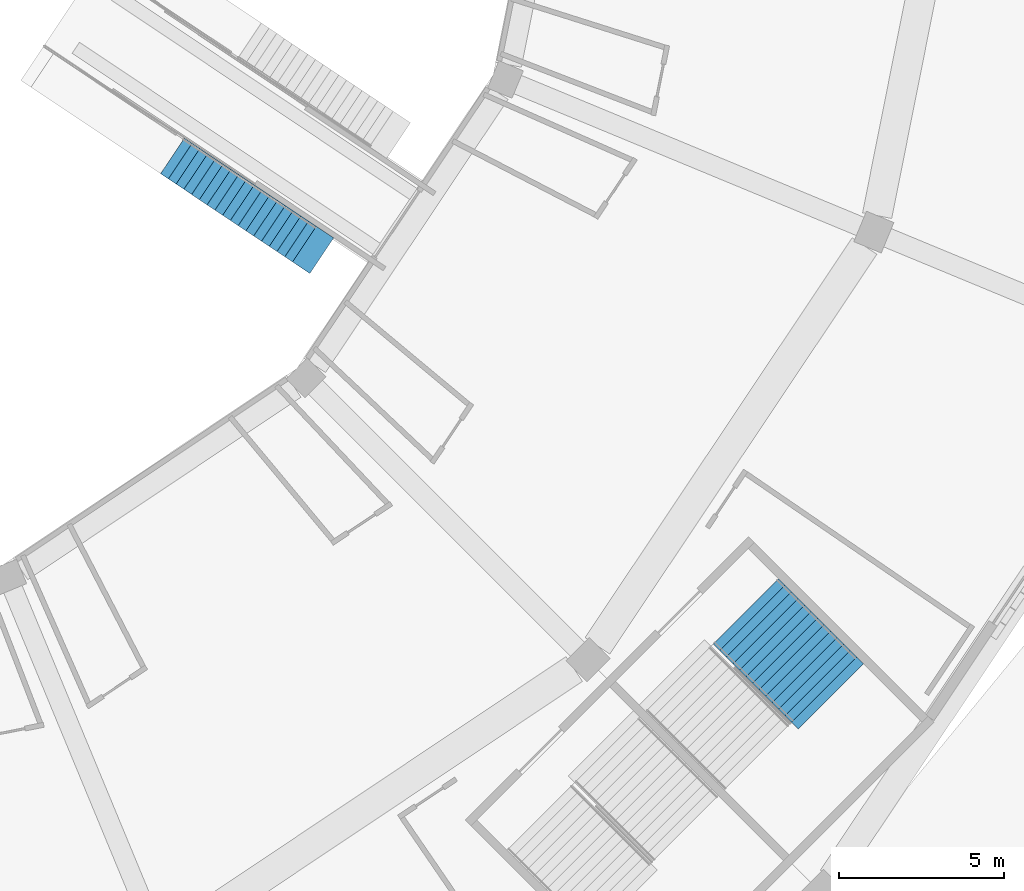
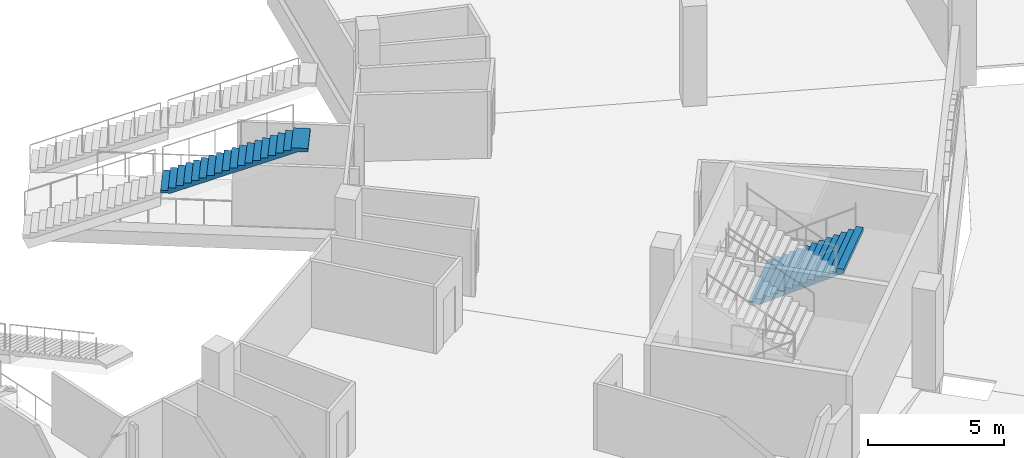
# One storey, part 90 of 175: 2 stair flights, 2 elements without a shape of their own.
"""IFC4 building model written with IfcOpenShell, lengths in metres."""

from ifc_helpers import new_model, si_unit, direction, frame, origin, place, context, subcontext, project, spatial, faceted_brep, material, type_object, element, aggregate, save


model = new_model("IFC4")

# Units and contexts
model_context = context("Model", 3, precision=1e-05, world=origin(), true_north=direction((0.0, 1.0)))
body_context = subcontext(model_context, "Body", "Model", "MODEL_VIEW")
ifc_project = project(units=[si_unit("LENGTHUNIT", "METRE"), si_unit("AREAUNIT", "SQUARE_METRE"), si_unit("VOLUMEUNIT", "CUBIC_METRE"), si_unit("PLANEANGLEUNIT", "RADIAN"), si_unit("MASSUNIT", "GRAM", prefix="KILO")], contexts=[model_context])

# Site, building, storey
site_placement = place(None, origin())
site = spatial("IfcSite", under=ifc_project, at=site_placement, CompositionType="ELEMENT")
building_placement = place(site_placement, origin())
building = spatial("IfcBuilding", under=site, at=building_placement, Name="Ogive Plaza Stadium", CompositionType="ELEMENT")
storey_placement = place(building_placement, origin())
storey = spatial("IfcBuildingStorey", under=building, at=storey_placement, Name="L00", CompositionType="ELEMENT", Elevation=0.0)

# Stair, stair flight
ifc_material_1 = material(Name="Concrete C40/50", Category="concrete")
stair_type_1 = type_object("IfcStairType", Name="Aisle stair", PredefinedType="STRAIGHT_RUN_STAIR", material=ifc_material_1)
stair_1_placement = place(storey_placement, origin())
stair_1 = element("IfcStair", 1, at=stair_1_placement, inside=storey, type_object=stair_type_1, Name="Aisle stair SA09L", PredefinedType="STRAIGHT_RUN_STAIR")
ifc_material_2 = material(Name="Concrete C40/50", Category="concrete")
stair_flight_type_1 = type_object("IfcStairFlightType", Name="Aisle stair flight", PredefinedType="STRAIGHT", material=ifc_material_2)
stair_flight_1_placement = place(storey_placement, frame((49.670654296875, -65.496337890625, 2.25), z_axis=(0.0, 0.0, 1.0), x_axis=(0.831469612303, -0.55557023302, 0.0)))
stair_flight_1 = element("IfcStairFlight", 2, at=stair_flight_1_placement, type_object=stair_flight_type_1, Name="SA09L flight 2", NumberOfRisers=18, NumberOfTreads=17, PredefinedType="STRAIGHT", RiserHeight=0.125, TreadLength=0.283333333, context=body_context, shape_type="Brep", body=[
    faceted_brep([(0.371337890625, -0.64990234375, 0.0), (5.10009765625, -0.64990234375, 2.086181640625), (5.446533203125, -0.64990234375, 2.086181640625), (5.446533203125, -0.64990234375, 2.25), (4.816650390625, -0.64990234375, 2.25), (4.816650390625, -0.64990234375, 2.125), (4.533447265625, -0.64990234375, 2.125), (4.533447265625, -0.64990234375, 2.0), (4.25, -0.64990234375, 2.0), (4.25, -0.64990234375, 1.875), (3.966552734375, -0.64990234375, 1.875), (3.966552734375, -0.64990234375, 1.75), (3.683349609375, -0.64990234375, 1.75), (3.683349609375, -0.64990234375, 1.625), (3.39990234375, -0.64990234375, 1.625), (3.39990234375, -0.64990234375, 1.5), (3.11669921875, -0.64990234375, 1.5), (3.11669921875, -0.64990234375, 1.375), (2.833251953125, -0.64990234375, 1.375), (2.833251953125, -0.64990234375, 1.25), (2.550048828125, -0.64990234375, 1.25), (2.550048828125, -0.64990234375, 1.125), (2.2666015625, -0.64990234375, 1.125), (2.2666015625, -0.64990234375, 1.0), (1.9833984375, -0.64990234375, 1.0), (1.9833984375, -0.64990234375, 0.875), (1.699951171875, -0.64990234375, 0.875), (1.699951171875, -0.64990234375, 0.75), (1.416748046875, -0.64990234375, 0.75), (1.416748046875, -0.64990234375, 0.625), (1.13330078125, -0.64990234375, 0.625), (1.13330078125, -0.64990234375, 0.5), (0.85009765625, -0.64990234375, 0.5), (0.85009765625, -0.64990234375, 0.375), (0.566650390625, -0.64990234375, 0.375), (0.566650390625, -0.64990234375, 0.25), (0.283447265625, -0.64990234375, 0.25), (0.283447265625, -0.64990234375, 0.125), (0.0, -0.64990234375, 0.125), (0.0, -0.64990234375, 0.0), (0.0, 0.64990234375, 0.0), (0.0, 0.64990234375, 0.125), (0.283447265625, 0.64990234375, 0.125), (0.283447265625, 0.64990234375, 0.25), (0.566650390625, 0.64990234375, 0.25), (0.566650390625, 0.64990234375, 0.375), (0.85009765625, 0.64990234375, 0.375), (0.85009765625, 0.64990234375, 0.5), (1.13330078125, 0.64990234375, 0.5), (1.13330078125, 0.64990234375, 0.625), (1.416748046875, 0.64990234375, 0.625), (1.416748046875, 0.64990234375, 0.75), (1.699951171875, 0.64990234375, 0.75), (1.699951171875, 0.64990234375, 0.875), (1.9833984375, 0.64990234375, 0.875), (1.9833984375, 0.64990234375, 1.0), (2.2666015625, 0.64990234375, 1.0), (2.2666015625, 0.64990234375, 1.125), (2.550048828125, 0.64990234375, 1.125), (2.550048828125, 0.64990234375, 1.25), (2.833251953125, 0.64990234375, 1.25), (2.833251953125, 0.64990234375, 1.375), (3.11669921875, 0.64990234375, 1.375), (3.11669921875, 0.64990234375, 1.5), (3.39990234375, 0.64990234375, 1.5), (3.39990234375, 0.64990234375, 1.625), (3.683349609375, 0.64990234375, 1.625), (3.683349609375, 0.64990234375, 1.75), (3.966552734375, 0.64990234375, 1.75), (3.966552734375, 0.64990234375, 1.875), (4.25, 0.64990234375, 1.875), (4.25, 0.64990234375, 2.0), (4.533447265625, 0.64990234375, 2.0), (4.533447265625, 0.64990234375, 2.125), (4.816650390625, 0.64990234375, 2.125), (4.816650390625, 0.64990234375, 2.25), (5.446533203125, 0.64990234375, 2.25), (5.446533203125, 0.64990234375, 2.086181640625), (5.10009765625, 0.64990234375, 2.086181640625), (0.371337890625, 0.64990234375, 0.0), (0.371337890625, -0.324951171875, 0.0), (5.10009765625, -0.324951171875, 2.086181640625), (0.371337890625, 0.0, 0.0), (5.10009765625, 0.0, 2.086181640625), (0.371337890625, 0.324951171875, 0.0), (5.10009765625, 0.324951171875, 2.086181640625), (5.446533203125, -0.324951171875, 2.086181640625), (5.446533203125, 0.0, 2.086181640625), (5.446533203125, 0.324951171875, 2.086181640625), (5.446533203125, -0.324951171875, 2.25), (5.446533203125, 0.0, 2.25), (5.446533203125, 0.324951171875, 2.25), (4.816650390625, -0.324951171875, 2.25), (4.816650390625, 0.0, 2.25), (4.816650390625, 0.324951171875, 2.25), (4.816650390625, -0.324951171875, 2.125), (4.816650390625, 0.0, 2.125), (4.816650390625, 0.324951171875, 2.125), (4.533447265625, -0.324951171875, 2.125), (4.533447265625, 0.0, 2.125), (4.533447265625, 0.324951171875, 2.125), (4.533447265625, -0.324951171875, 2.0), (4.533447265625, 0.0, 2.0), (4.533447265625, 0.324951171875, 2.0), (4.25, -0.324951171875, 2.0), (4.25, 0.0, 2.0), (4.25, 0.324951171875, 2.0), (4.25, -0.324951171875, 1.875), (4.25, 0.0, 1.875), (4.25, 0.324951171875, 1.875), (3.966552734375, -0.324951171875, 1.875), (3.966552734375, 0.0, 1.875), (3.966552734375, 0.324951171875, 1.875), (3.966552734375, -0.324951171875, 1.75), (3.966552734375, 0.0, 1.75), (3.966552734375, 0.324951171875, 1.75), (3.683349609375, -0.324951171875, 1.75), (3.683349609375, 0.0, 1.75), (3.683349609375, 0.324951171875, 1.75), (3.683349609375, -0.324951171875, 1.625), (3.683349609375, 0.0, 1.625), (3.683349609375, 0.324951171875, 1.625), (3.39990234375, -0.324951171875, 1.625), (3.39990234375, 0.0, 1.625), (3.39990234375, 0.324951171875, 1.625), (3.39990234375, -0.324951171875, 1.5), (3.39990234375, 0.0, 1.5), (3.39990234375, 0.324951171875, 1.5), (3.11669921875, -0.324951171875, 1.5), (3.11669921875, 0.0, 1.5), (3.11669921875, 0.324951171875, 1.5), (3.11669921875, -0.324951171875, 1.375), (3.11669921875, 0.0, 1.375), (3.11669921875, 0.324951171875, 1.375), (2.833251953125, -0.324951171875, 1.375), (2.833251953125, 0.0, 1.375), (2.833251953125, 0.324951171875, 1.375), (2.833251953125, -0.324951171875, 1.25), (2.833251953125, 0.0, 1.25), (2.833251953125, 0.324951171875, 1.25), (2.550048828125, -0.324951171875, 1.25), (2.550048828125, 0.0, 1.25), (2.550048828125, 0.324951171875, 1.25), (2.550048828125, -0.324951171875, 1.125), (2.550048828125, 0.0, 1.125), (2.550048828125, 0.324951171875, 1.125), (2.2666015625, -0.324951171875, 1.125), (2.2666015625, 0.0, 1.125), (2.2666015625, 0.324951171875, 1.125), (2.2666015625, -0.324951171875, 1.0), (2.2666015625, 0.0, 1.0), (2.2666015625, 0.324951171875, 1.0), (1.9833984375, -0.324951171875, 1.0), (1.9833984375, 0.0, 1.0), (1.9833984375, 0.324951171875, 1.0), (1.9833984375, -0.324951171875, 0.875), (1.9833984375, 0.0, 0.875), (1.9833984375, 0.324951171875, 0.875), (1.699951171875, -0.324951171875, 0.875), (1.699951171875, 0.0, 0.875), (1.699951171875, 0.324951171875, 0.875), (1.699951171875, -0.324951171875, 0.75), (1.699951171875, 0.0, 0.75), (1.699951171875, 0.324951171875, 0.75), (1.416748046875, -0.324951171875, 0.75), (1.416748046875, 0.0, 0.75), (1.416748046875, 0.324951171875, 0.75), (1.416748046875, -0.324951171875, 0.625), (1.416748046875, 0.0, 0.625), (1.416748046875, 0.324951171875, 0.625), (1.13330078125, -0.324951171875, 0.625), (1.13330078125, 0.0, 0.625), (1.13330078125, 0.324951171875, 0.625), (1.13330078125, -0.324951171875, 0.5), (1.13330078125, 0.0, 0.5), (1.13330078125, 0.324951171875, 0.5), (0.85009765625, -0.324951171875, 0.5), (0.85009765625, 0.0, 0.5), (0.85009765625, 0.324951171875, 0.5), (0.85009765625, -0.324951171875, 0.375), (0.85009765625, 0.0, 0.375), (0.85009765625, 0.324951171875, 0.375), (0.566650390625, -0.324951171875, 0.375), (0.566650390625, 0.0, 0.375), (0.566650390625, 0.324951171875, 0.375), (0.566650390625, -0.324951171875, 0.25), (0.566650390625, 0.0, 0.25), (0.566650390625, 0.324951171875, 0.25), (0.283447265625, -0.324951171875, 0.25), (0.283447265625, 0.0, 0.25), (0.283447265625, 0.324951171875, 0.25), (0.283447265625, -0.324951171875, 0.125), (0.283447265625, 0.0, 0.125), (0.283447265625, 0.324951171875, 0.125), (0.0, -0.324951171875, 0.125), (0.0, 0.0, 0.125), (0.0, 0.324951171875, 0.125), (0.0, -0.324951171875, 0.0), (0.0, 0.0, 0.0), (0.0, 0.324951171875, 0.0)], [[[0, 1, 2, 3, 4, 5, 6, 7, 8, 9, 10, 11, 12, 13, 14, 15, 16, 17, 18, 19, 20, 21, 22, 23, 24, 25, 26, 27, 28, 29, 30, 31, 32, 33, 34, 35, 36, 37, 38, 39]], [[40, 41, 42, 43, 44, 45, 46, 47, 48, 49, 50, 51, 52, 53, 54, 55, 56, 57, 58, 59, 60, 61, 62, 63, 64, 65, 66, 67, 68, 69, 70, 71, 72, 73, 74, 75, 76, 77, 78, 79]], [[0, 80, 81, 1]], [[80, 82, 83, 81]], [[82, 84, 85, 83]], [[84, 79, 78, 85]], [[1, 81, 86, 2]], [[81, 83, 87, 86]], [[83, 85, 88, 87]], [[85, 78, 77, 88]], [[2, 86, 89, 3]], [[86, 87, 90, 89]], [[87, 88, 91, 90]], [[88, 77, 76, 91]], [[3, 89, 92, 4]], [[89, 90, 93, 92]], [[90, 91, 94, 93]], [[91, 76, 75, 94]], [[4, 92, 95, 5]], [[92, 93, 96, 95]], [[93, 94, 97, 96]], [[94, 75, 74, 97]], [[5, 95, 98, 6]], [[95, 96, 99, 98]], [[96, 97, 100, 99]], [[97, 74, 73, 100]], [[6, 98, 101, 7]], [[98, 99, 102, 101]], [[99, 100, 103, 102]], [[100, 73, 72, 103]], [[7, 101, 104, 8]], [[101, 102, 105, 104]], [[102, 103, 106, 105]], [[103, 72, 71, 106]], [[8, 104, 107, 9]], [[104, 105, 108, 107]], [[105, 106, 109, 108]], [[106, 71, 70, 109]], [[9, 107, 110, 10]], [[107, 108, 111, 110]], [[108, 109, 112, 111]], [[109, 70, 69, 112]], [[10, 110, 113, 11]], [[110, 111, 114, 113]], [[111, 112, 115, 114]], [[112, 69, 68, 115]], [[11, 113, 116, 12]], [[113, 114, 117, 116]], [[114, 115, 118, 117]], [[115, 68, 67, 118]], [[12, 116, 119, 13]], [[116, 117, 120, 119]], [[117, 118, 121, 120]], [[118, 67, 66, 121]], [[13, 119, 122, 14]], [[119, 120, 123, 122]], [[120, 121, 124, 123]], [[121, 66, 65, 124]], [[14, 122, 125, 15]], [[122, 123, 126, 125]], [[123, 124, 127, 126]], [[124, 65, 64, 127]], [[15, 125, 128, 16]], [[125, 126, 129, 128]], [[126, 127, 130, 129]], [[127, 64, 63, 130]], [[16, 128, 131, 17]], [[128, 129, 132, 131]], [[129, 130, 133, 132]], [[130, 63, 62, 133]], [[17, 131, 134, 18]], [[131, 132, 135, 134]], [[132, 133, 136, 135]], [[133, 62, 61, 136]], [[18, 134, 137, 19]], [[134, 135, 138, 137]], [[135, 136, 139, 138]], [[136, 61, 60, 139]], [[19, 137, 140, 20]], [[137, 138, 141, 140]], [[138, 139, 142, 141]], [[139, 60, 59, 142]], [[20, 140, 143, 21]], [[140, 141, 144, 143]], [[141, 142, 145, 144]], [[142, 59, 58, 145]], [[21, 143, 146, 22]], [[143, 144, 147, 146]], [[144, 145, 148, 147]], [[145, 58, 57, 148]], [[22, 146, 149, 23]], [[146, 147, 150, 149]], [[147, 148, 151, 150]], [[148, 57, 56, 151]], [[23, 149, 152, 24]], [[149, 150, 153, 152]], [[150, 151, 154, 153]], [[151, 56, 55, 154]], [[24, 152, 155, 25]], [[152, 153, 156, 155]], [[153, 154, 157, 156]], [[154, 55, 54, 157]], [[25, 155, 158, 26]], [[155, 156, 159, 158]], [[156, 157, 160, 159]], [[157, 54, 53, 160]], [[26, 158, 161, 27]], [[158, 159, 162, 161]], [[159, 160, 163, 162]], [[160, 53, 52, 163]], [[27, 161, 164, 28]], [[161, 162, 165, 164]], [[162, 163, 166, 165]], [[163, 52, 51, 166]], [[28, 164, 167, 29]], [[164, 165, 168, 167]], [[165, 166, 169, 168]], [[166, 51, 50, 169]], [[29, 167, 170, 30]], [[167, 168, 171, 170]], [[168, 169, 172, 171]], [[169, 50, 49, 172]], [[30, 170, 173, 31]], [[170, 171, 174, 173]], [[171, 172, 175, 174]], [[172, 49, 48, 175]], [[31, 173, 176, 32]], [[173, 174, 177, 176]], [[174, 175, 178, 177]], [[175, 48, 47, 178]], [[32, 176, 179, 33]], [[176, 177, 180, 179]], [[177, 178, 181, 180]], [[178, 47, 46, 181]], [[33, 179, 182, 34]], [[179, 180, 183, 182]], [[180, 181, 184, 183]], [[181, 46, 45, 184]], [[34, 182, 185, 35]], [[182, 183, 186, 185]], [[183, 184, 187, 186]], [[184, 45, 44, 187]], [[35, 185, 188, 36]], [[185, 186, 189, 188]], [[186, 187, 190, 189]], [[187, 44, 43, 190]], [[36, 188, 191, 37]], [[188, 189, 192, 191]], [[189, 190, 193, 192]], [[190, 43, 42, 193]], [[37, 191, 194, 38]], [[191, 192, 195, 194]], [[192, 193, 196, 195]], [[193, 42, 41, 196]], [[38, 194, 197, 39]], [[194, 195, 198, 197]], [[195, 196, 199, 198]], [[196, 41, 40, 199]], [[39, 197, 80, 0]], [[197, 198, 82, 80]], [[198, 199, 84, 82]], [[199, 40, 79, 84]]]),
])
aggregate(stair_1, [stair_flight_1])

ifc_material_3 = material(Name="Concrete C40/50", Category="concrete")
stair_type_2 = type_object("IfcStairType", Name="Exit stair", PredefinedType="STRAIGHT_RUN_STAIR", material=ifc_material_3)
stair_2_placement = place(storey_placement, origin())
stair_2 = element("IfcStair", 3, at=stair_2_placement, inside=storey, type_object=stair_type_2, Name="Exit stair ST10B L00 to L01", PredefinedType="STRAIGHT_RUN_STAIR")
ifc_material_4 = material(Name="Concrete C40/50", Category="concrete")
stair_flight_type_2 = type_object("IfcStairFlightType", Name="Exit stair flight", PredefinedType="STRAIGHT", material=ifc_material_4)
stair_flight_2_placement = place(storey_placement, frame((67.074951171875, -79.317138671875, 0.0), z_axis=(0.0, 0.0, 1.0), x_axis=(0.707106781187, -0.707106781187, 0.0)))
stair_flight_2 = element("IfcStairFlight", 4, at=stair_flight_2_placement, type_object=stair_flight_type_2, Name="ST10B flight 1", NumberOfRisers=13, NumberOfTreads=12, PredefinedType="STRAIGHT", RiserHeight=0.173076923, TreadLength=0.28, context=body_context, shape_type="Brep", body=[
    faceted_brep([(0.28515625, -1.39990234375, 0.0), (3.639892578125, -1.39990234375, 2.07373046875), (3.639892578125, -1.39990234375, 2.25), (3.360107421875, -1.39990234375, 2.25), (3.360107421875, -1.39990234375, 2.076904296875), (3.080078125, -1.39990234375, 2.076904296875), (3.080078125, -1.39990234375, 1.90380859375), (2.800048828125, -1.39990234375, 1.90380859375), (2.800048828125, -1.39990234375, 1.730712890625), (2.52001953125, -1.39990234375, 1.730712890625), (2.52001953125, -1.39990234375, 1.5576171875), (2.239990234375, -1.39990234375, 1.5576171875), (2.239990234375, -1.39990234375, 1.384521484375), (1.9599609375, -1.39990234375, 1.384521484375), (1.9599609375, -1.39990234375, 1.21142578125), (1.679931640625, -1.39990234375, 1.21142578125), (1.679931640625, -1.39990234375, 1.03857421875), (1.39990234375, -1.39990234375, 1.03857421875), (1.39990234375, -1.39990234375, 0.865478515625), (1.1201171875, -1.39990234375, 0.865478515625), (1.1201171875, -1.39990234375, 0.6923828125), (0.840087890625, -1.39990234375, 0.6923828125), (0.840087890625, -1.39990234375, 0.519287109375), (0.56005859375, -1.39990234375, 0.519287109375), (0.56005859375, -1.39990234375, 0.34619140625), (0.280029296875, -1.39990234375, 0.34619140625), (0.280029296875, -1.39990234375, 0.173095703125), (0.0, -1.39990234375, 0.173095703125), (0.0, -1.39990234375, 0.0), (0.0, 1.39990234375, 0.0), (0.0, 1.39990234375, 0.173095703125), (0.280029296875, 1.39990234375, 0.173095703125), (0.280029296875, 1.39990234375, 0.34619140625), (0.56005859375, 1.39990234375, 0.34619140625), (0.56005859375, 1.39990234375, 0.519287109375), (0.840087890625, 1.39990234375, 0.519287109375), (0.840087890625, 1.39990234375, 0.6923828125), (1.1201171875, 1.39990234375, 0.6923828125), (1.1201171875, 1.39990234375, 0.865478515625), (1.39990234375, 1.39990234375, 0.865478515625), (1.39990234375, 1.39990234375, 1.03857421875), (1.679931640625, 1.39990234375, 1.03857421875), (1.679931640625, 1.39990234375, 1.21142578125), (1.9599609375, 1.39990234375, 1.21142578125), (1.9599609375, 1.39990234375, 1.384521484375), (2.239990234375, 1.39990234375, 1.384521484375), (2.239990234375, 1.39990234375, 1.5576171875), (2.52001953125, 1.39990234375, 1.5576171875), (2.52001953125, 1.39990234375, 1.730712890625), (2.800048828125, 1.39990234375, 1.730712890625), (2.800048828125, 1.39990234375, 1.90380859375), (3.080078125, 1.39990234375, 1.90380859375), (3.080078125, 1.39990234375, 2.076904296875), (3.360107421875, 1.39990234375, 2.076904296875), (3.360107421875, 1.39990234375, 2.25), (3.639892578125, 1.39990234375, 2.25), (3.639892578125, 1.39990234375, 2.07373046875), (0.28515625, 1.39990234375, 0.0), (0.28515625, -1.0888671875, 0.0), (3.639892578125, -1.0888671875, 2.07373046875), (0.28515625, -0.77783203125, 0.0), (3.639892578125, -0.77783203125, 2.07373046875), (0.28515625, -0.466796875, 0.0), (3.639892578125, -0.466796875, 2.07373046875), (0.28515625, -0.155517578125, 0.0), (3.639892578125, -0.155517578125, 2.07373046875), (0.28515625, 0.155517578125, 0.0), (3.639892578125, 0.155517578125, 2.07373046875), (0.28515625, 0.466796875, 0.0), (3.639892578125, 0.466796875, 2.07373046875), (0.28515625, 0.77783203125, 0.0), (3.639892578125, 0.77783203125, 2.07373046875), (0.28515625, 1.0888671875, 0.0), (3.639892578125, 1.0888671875, 2.07373046875), (3.639892578125, -1.0888671875, 2.25), (3.639892578125, -0.77783203125, 2.25), (3.639892578125, -0.466796875, 2.25), (3.639892578125, -0.155517578125, 2.25), (3.639892578125, 0.155517578125, 2.25), (3.639892578125, 0.466796875, 2.25), (3.639892578125, 0.77783203125, 2.25), (3.639892578125, 1.0888671875, 2.25), (3.360107421875, -1.0888671875, 2.25), (3.360107421875, -0.77783203125, 2.25), (3.360107421875, -0.466796875, 2.25), (3.360107421875, -0.155517578125, 2.25), (3.360107421875, 0.155517578125, 2.25), (3.360107421875, 0.466796875, 2.25), (3.360107421875, 0.77783203125, 2.25), (3.360107421875, 1.0888671875, 2.25), (3.360107421875, -1.0888671875, 2.076904296875), (3.360107421875, -0.77783203125, 2.076904296875), (3.360107421875, -0.466796875, 2.076904296875), (3.360107421875, -0.155517578125, 2.076904296875), (3.360107421875, 0.155517578125, 2.076904296875), (3.360107421875, 0.466796875, 2.076904296875), (3.360107421875, 0.77783203125, 2.076904296875), (3.360107421875, 1.0888671875, 2.076904296875), (3.080078125, -1.0888671875, 2.076904296875), (3.080078125, -0.77783203125, 2.076904296875), (3.080078125, -0.466796875, 2.076904296875), (3.080078125, -0.155517578125, 2.076904296875), (3.080078125, 0.155517578125, 2.076904296875), (3.080078125, 0.466796875, 2.076904296875), (3.080078125, 0.77783203125, 2.076904296875), (3.080078125, 1.0888671875, 2.076904296875), (3.080078125, -1.0888671875, 1.90380859375), (3.080078125, -0.77783203125, 1.90380859375), (3.080078125, -0.466796875, 1.90380859375), (3.080078125, -0.155517578125, 1.90380859375), (3.080078125, 0.155517578125, 1.90380859375), (3.080078125, 0.466796875, 1.90380859375), (3.080078125, 0.77783203125, 1.90380859375), (3.080078125, 1.0888671875, 1.90380859375), (2.800048828125, -1.0888671875, 1.90380859375), (2.800048828125, -0.77783203125, 1.90380859375), (2.800048828125, -0.466796875, 1.90380859375), (2.800048828125, -0.155517578125, 1.90380859375), (2.800048828125, 0.155517578125, 1.90380859375), (2.800048828125, 0.466796875, 1.90380859375), (2.800048828125, 0.77783203125, 1.90380859375), (2.800048828125, 1.0888671875, 1.90380859375), (2.800048828125, -1.0888671875, 1.730712890625), (2.800048828125, -0.77783203125, 1.730712890625), (2.800048828125, -0.466796875, 1.730712890625), (2.800048828125, -0.155517578125, 1.730712890625), (2.800048828125, 0.155517578125, 1.730712890625), (2.800048828125, 0.466796875, 1.730712890625), (2.800048828125, 0.77783203125, 1.730712890625), (2.800048828125, 1.0888671875, 1.730712890625), (2.52001953125, -1.0888671875, 1.730712890625), (2.52001953125, -0.77783203125, 1.730712890625), (2.52001953125, -0.466796875, 1.730712890625), (2.52001953125, -0.155517578125, 1.730712890625), (2.52001953125, 0.155517578125, 1.730712890625), (2.52001953125, 0.466796875, 1.730712890625), (2.52001953125, 0.77783203125, 1.730712890625), (2.52001953125, 1.0888671875, 1.730712890625), (2.52001953125, -1.0888671875, 1.5576171875), (2.52001953125, -0.77783203125, 1.5576171875), (2.52001953125, -0.466796875, 1.5576171875), (2.52001953125, -0.155517578125, 1.5576171875), (2.52001953125, 0.155517578125, 1.5576171875), (2.52001953125, 0.466796875, 1.5576171875), (2.52001953125, 0.77783203125, 1.5576171875), (2.52001953125, 1.0888671875, 1.5576171875), (2.239990234375, -1.0888671875, 1.5576171875), (2.239990234375, -0.77783203125, 1.5576171875), (2.239990234375, -0.466796875, 1.5576171875), (2.239990234375, -0.155517578125, 1.5576171875), (2.239990234375, 0.155517578125, 1.5576171875), (2.239990234375, 0.466796875, 1.5576171875), (2.239990234375, 0.77783203125, 1.5576171875), (2.239990234375, 1.0888671875, 1.5576171875), (2.239990234375, -1.0888671875, 1.384521484375), (2.239990234375, -0.77783203125, 1.384521484375), (2.239990234375, -0.466796875, 1.384521484375), (2.239990234375, -0.155517578125, 1.384521484375), (2.239990234375, 0.155517578125, 1.384521484375), (2.239990234375, 0.466796875, 1.384521484375), (2.239990234375, 0.77783203125, 1.384521484375), (2.239990234375, 1.0888671875, 1.384521484375), (1.9599609375, -1.0888671875, 1.384521484375), (1.9599609375, -0.77783203125, 1.384521484375), (1.9599609375, -0.466796875, 1.384521484375), (1.9599609375, -0.155517578125, 1.384521484375), (1.9599609375, 0.155517578125, 1.384521484375), (1.9599609375, 0.466796875, 1.384521484375), (1.9599609375, 0.77783203125, 1.384521484375), (1.9599609375, 1.0888671875, 1.384521484375), (1.9599609375, -1.0888671875, 1.21142578125), (1.9599609375, -0.77783203125, 1.21142578125), (1.9599609375, -0.466796875, 1.21142578125), (1.9599609375, -0.155517578125, 1.21142578125), (1.9599609375, 0.155517578125, 1.21142578125), (1.9599609375, 0.466796875, 1.21142578125), (1.9599609375, 0.77783203125, 1.21142578125), (1.9599609375, 1.0888671875, 1.21142578125), (1.679931640625, -1.0888671875, 1.21142578125), (1.679931640625, -0.77783203125, 1.21142578125), (1.679931640625, -0.466796875, 1.21142578125), (1.679931640625, -0.155517578125, 1.21142578125), (1.679931640625, 0.155517578125, 1.21142578125), (1.679931640625, 0.466796875, 1.21142578125), (1.679931640625, 0.77783203125, 1.21142578125), (1.679931640625, 1.0888671875, 1.21142578125), (1.679931640625, -1.0888671875, 1.03857421875), (1.679931640625, -0.77783203125, 1.03857421875), (1.679931640625, -0.466796875, 1.03857421875), (1.679931640625, -0.155517578125, 1.03857421875), (1.679931640625, 0.155517578125, 1.03857421875), (1.679931640625, 0.466796875, 1.03857421875), (1.679931640625, 0.77783203125, 1.03857421875), (1.679931640625, 1.0888671875, 1.03857421875), (1.39990234375, -1.0888671875, 1.03857421875), (1.39990234375, -0.77783203125, 1.03857421875), (1.39990234375, -0.466796875, 1.03857421875), (1.39990234375, -0.155517578125, 1.03857421875), (1.39990234375, 0.155517578125, 1.03857421875), (1.39990234375, 0.466796875, 1.03857421875), (1.39990234375, 0.77783203125, 1.03857421875), (1.39990234375, 1.0888671875, 1.03857421875), (1.39990234375, -1.0888671875, 0.865478515625), (1.39990234375, -0.77783203125, 0.865478515625), (1.39990234375, -0.466796875, 0.865478515625), (1.39990234375, -0.155517578125, 0.865478515625), (1.39990234375, 0.155517578125, 0.865478515625), (1.39990234375, 0.466796875, 0.865478515625), (1.39990234375, 0.77783203125, 0.865478515625), (1.39990234375, 1.0888671875, 0.865478515625), (1.1201171875, -1.0888671875, 0.865478515625), (1.1201171875, -0.77783203125, 0.865478515625), (1.1201171875, -0.466796875, 0.865478515625), (1.1201171875, -0.155517578125, 0.865478515625), (1.1201171875, 0.155517578125, 0.865478515625), (1.1201171875, 0.466796875, 0.865478515625), (1.1201171875, 0.77783203125, 0.865478515625), (1.1201171875, 1.0888671875, 0.865478515625), (1.1201171875, -1.0888671875, 0.6923828125), (1.1201171875, -0.77783203125, 0.6923828125), (1.1201171875, -0.466796875, 0.6923828125), (1.1201171875, -0.155517578125, 0.6923828125), (1.1201171875, 0.155517578125, 0.6923828125), (1.1201171875, 0.466796875, 0.6923828125), (1.1201171875, 0.77783203125, 0.6923828125), (1.1201171875, 1.0888671875, 0.6923828125), (0.840087890625, -1.0888671875, 0.6923828125), (0.840087890625, -0.77783203125, 0.6923828125), (0.840087890625, -0.466796875, 0.6923828125), (0.840087890625, -0.155517578125, 0.6923828125), (0.840087890625, 0.155517578125, 0.6923828125), (0.840087890625, 0.466796875, 0.6923828125), (0.840087890625, 0.77783203125, 0.6923828125), (0.840087890625, 1.0888671875, 0.6923828125), (0.840087890625, -1.0888671875, 0.519287109375), (0.840087890625, -0.77783203125, 0.519287109375), (0.840087890625, -0.466796875, 0.519287109375), (0.840087890625, -0.155517578125, 0.519287109375), (0.840087890625, 0.155517578125, 0.519287109375), (0.840087890625, 0.466796875, 0.519287109375), (0.840087890625, 0.77783203125, 0.519287109375), (0.840087890625, 1.0888671875, 0.519287109375), (0.56005859375, -1.0888671875, 0.519287109375), (0.56005859375, -0.77783203125, 0.519287109375), (0.56005859375, -0.466796875, 0.519287109375), (0.56005859375, -0.155517578125, 0.519287109375), (0.56005859375, 0.155517578125, 0.519287109375), (0.56005859375, 0.466796875, 0.519287109375), (0.56005859375, 0.77783203125, 0.519287109375), (0.56005859375, 1.0888671875, 0.519287109375), (0.56005859375, -1.0888671875, 0.34619140625), (0.56005859375, -0.77783203125, 0.34619140625), (0.56005859375, -0.466796875, 0.34619140625), (0.56005859375, -0.155517578125, 0.34619140625), (0.56005859375, 0.155517578125, 0.34619140625), (0.56005859375, 0.466796875, 0.34619140625), (0.56005859375, 0.77783203125, 0.34619140625), (0.56005859375, 1.0888671875, 0.34619140625), (0.280029296875, -1.0888671875, 0.34619140625), (0.280029296875, -0.77783203125, 0.34619140625), (0.280029296875, -0.466796875, 0.34619140625), (0.280029296875, -0.155517578125, 0.34619140625), (0.280029296875, 0.155517578125, 0.34619140625), (0.280029296875, 0.466796875, 0.34619140625), (0.280029296875, 0.77783203125, 0.34619140625), (0.280029296875, 1.0888671875, 0.34619140625), (0.280029296875, -1.0888671875, 0.173095703125), (0.280029296875, -0.77783203125, 0.173095703125), (0.280029296875, -0.466796875, 0.173095703125), (0.280029296875, -0.155517578125, 0.173095703125), (0.280029296875, 0.155517578125, 0.173095703125), (0.280029296875, 0.466796875, 0.173095703125), (0.280029296875, 0.77783203125, 0.173095703125), (0.280029296875, 1.0888671875, 0.173095703125), (0.0, -1.0888671875, 0.173095703125), (0.0, -0.77783203125, 0.173095703125), (0.0, -0.466796875, 0.173095703125), (0.0, -0.155517578125, 0.173095703125), (0.0, 0.155517578125, 0.173095703125), (0.0, 0.466796875, 0.173095703125), (0.0, 0.77783203125, 0.173095703125), (0.0, 1.0888671875, 0.173095703125), (0.0, -1.0888671875, 0.0), (0.0, -0.77783203125, 0.0), (0.0, -0.466796875, 0.0), (0.0, -0.155517578125, 0.0), (0.0, 0.155517578125, 0.0), (0.0, 0.466796875, 0.0), (0.0, 0.77783203125, 0.0), (0.0, 1.0888671875, 0.0)], [[[0, 1, 2, 3, 4, 5, 6, 7, 8, 9, 10, 11, 12, 13, 14, 15, 16, 17, 18, 19, 20, 21, 22, 23, 24, 25, 26, 27, 28]], [[29, 30, 31, 32, 33, 34, 35, 36, 37, 38, 39, 40, 41, 42, 43, 44, 45, 46, 47, 48, 49, 50, 51, 52, 53, 54, 55, 56, 57]], [[0, 58, 59, 1]], [[58, 60, 61, 59]], [[60, 62, 63, 61]], [[62, 64, 65, 63]], [[64, 66, 67, 65]], [[66, 68, 69, 67]], [[68, 70, 71, 69]], [[70, 72, 73, 71]], [[72, 57, 56, 73]], [[1, 59, 74, 2]], [[59, 61, 75, 74]], [[61, 63, 76, 75]], [[63, 65, 77, 76]], [[65, 67, 78, 77]], [[67, 69, 79, 78]], [[69, 71, 80, 79]], [[71, 73, 81, 80]], [[73, 56, 55, 81]], [[2, 74, 82, 3]], [[74, 75, 83, 82]], [[75, 76, 84, 83]], [[76, 77, 85, 84]], [[77, 78, 86, 85]], [[78, 79, 87, 86]], [[79, 80, 88, 87]], [[80, 81, 89, 88]], [[81, 55, 54, 89]], [[3, 82, 90, 4]], [[82, 83, 91, 90]], [[83, 84, 92, 91]], [[84, 85, 93, 92]], [[85, 86, 94, 93]], [[86, 87, 95, 94]], [[87, 88, 96, 95]], [[88, 89, 97, 96]], [[89, 54, 53, 97]], [[4, 90, 98, 5]], [[90, 91, 99, 98]], [[91, 92, 100, 99]], [[92, 93, 101, 100]], [[93, 94, 102, 101]], [[94, 95, 103, 102]], [[95, 96, 104, 103]], [[96, 97, 105, 104]], [[97, 53, 52, 105]], [[5, 98, 106, 6]], [[98, 99, 107, 106]], [[99, 100, 108, 107]], [[100, 101, 109, 108]], [[101, 102, 110, 109]], [[102, 103, 111, 110]], [[103, 104, 112, 111]], [[104, 105, 113, 112]], [[105, 52, 51, 113]], [[6, 106, 114, 7]], [[106, 107, 115, 114]], [[107, 108, 116, 115]], [[108, 109, 117, 116]], [[109, 110, 118, 117]], [[110, 111, 119, 118]], [[111, 112, 120, 119]], [[112, 113, 121, 120]], [[113, 51, 50, 121]], [[7, 114, 122, 8]], [[114, 115, 123, 122]], [[115, 116, 124, 123]], [[116, 117, 125, 124]], [[117, 118, 126, 125]], [[118, 119, 127, 126]], [[119, 120, 128, 127]], [[120, 121, 129, 128]], [[121, 50, 49, 129]], [[8, 122, 130, 9]], [[122, 123, 131, 130]], [[123, 124, 132, 131]], [[124, 125, 133, 132]], [[125, 126, 134, 133]], [[126, 127, 135, 134]], [[127, 128, 136, 135]], [[128, 129, 137, 136]], [[129, 49, 48, 137]], [[9, 130, 138, 10]], [[130, 131, 139, 138]], [[131, 132, 140, 139]], [[132, 133, 141, 140]], [[133, 134, 142, 141]], [[134, 135, 143, 142]], [[135, 136, 144, 143]], [[136, 137, 145, 144]], [[137, 48, 47, 145]], [[10, 138, 146, 11]], [[138, 139, 147, 146]], [[139, 140, 148, 147]], [[140, 141, 149, 148]], [[141, 142, 150, 149]], [[142, 143, 151, 150]], [[143, 144, 152, 151]], [[144, 145, 153, 152]], [[145, 47, 46, 153]], [[11, 146, 154, 12]], [[146, 147, 155, 154]], [[147, 148, 156, 155]], [[148, 149, 157, 156]], [[149, 150, 158, 157]], [[150, 151, 159, 158]], [[151, 152, 160, 159]], [[152, 153, 161, 160]], [[153, 46, 45, 161]], [[12, 154, 162, 13]], [[154, 155, 163, 162]], [[155, 156, 164, 163]], [[156, 157, 165, 164]], [[157, 158, 166, 165]], [[158, 159, 167, 166]], [[159, 160, 168, 167]], [[160, 161, 169, 168]], [[161, 45, 44, 169]], [[13, 162, 170, 14]], [[162, 163, 171, 170]], [[163, 164, 172, 171]], [[164, 165, 173, 172]], [[165, 166, 174, 173]], [[166, 167, 175, 174]], [[167, 168, 176, 175]], [[168, 169, 177, 176]], [[169, 44, 43, 177]], [[14, 170, 178, 15]], [[170, 171, 179, 178]], [[171, 172, 180, 179]], [[172, 173, 181, 180]], [[173, 174, 182, 181]], [[174, 175, 183, 182]], [[175, 176, 184, 183]], [[176, 177, 185, 184]], [[177, 43, 42, 185]], [[15, 178, 186, 16]], [[178, 179, 187, 186]], [[179, 180, 188, 187]], [[180, 181, 189, 188]], [[181, 182, 190, 189]], [[182, 183, 191, 190]], [[183, 184, 192, 191]], [[184, 185, 193, 192]], [[185, 42, 41, 193]], [[16, 186, 194, 17]], [[186, 187, 195, 194]], [[187, 188, 196, 195]], [[188, 189, 197, 196]], [[189, 190, 198, 197]], [[190, 191, 199, 198]], [[191, 192, 200, 199]], [[192, 193, 201, 200]], [[193, 41, 40, 201]], [[17, 194, 202, 18]], [[194, 195, 203, 202]], [[195, 196, 204, 203]], [[196, 197, 205, 204]], [[197, 198, 206, 205]], [[198, 199, 207, 206]], [[199, 200, 208, 207]], [[200, 201, 209, 208]], [[201, 40, 39, 209]], [[18, 202, 210, 19]], [[202, 203, 211, 210]], [[203, 204, 212, 211]], [[204, 205, 213, 212]], [[205, 206, 214, 213]], [[206, 207, 215, 214]], [[207, 208, 216, 215]], [[208, 209, 217, 216]], [[209, 39, 38, 217]], [[19, 210, 218, 20]], [[210, 211, 219, 218]], [[211, 212, 220, 219]], [[212, 213, 221, 220]], [[213, 214, 222, 221]], [[214, 215, 223, 222]], [[215, 216, 224, 223]], [[216, 217, 225, 224]], [[217, 38, 37, 225]], [[20, 218, 226, 21]], [[218, 219, 227, 226]], [[219, 220, 228, 227]], [[220, 221, 229, 228]], [[221, 222, 230, 229]], [[222, 223, 231, 230]], [[223, 224, 232, 231]], [[224, 225, 233, 232]], [[225, 37, 36, 233]], [[21, 226, 234, 22]], [[226, 227, 235, 234]], [[227, 228, 236, 235]], [[228, 229, 237, 236]], [[229, 230, 238, 237]], [[230, 231, 239, 238]], [[231, 232, 240, 239]], [[232, 233, 241, 240]], [[233, 36, 35, 241]], [[22, 234, 242, 23]], [[234, 235, 243, 242]], [[235, 236, 244, 243]], [[236, 237, 245, 244]], [[237, 238, 246, 245]], [[238, 239, 247, 246]], [[239, 240, 248, 247]], [[240, 241, 249, 248]], [[241, 35, 34, 249]], [[23, 242, 250, 24]], [[242, 243, 251, 250]], [[243, 244, 252, 251]], [[244, 245, 253, 252]], [[245, 246, 254, 253]], [[246, 247, 255, 254]], [[247, 248, 256, 255]], [[248, 249, 257, 256]], [[249, 34, 33, 257]], [[24, 250, 258, 25]], [[250, 251, 259, 258]], [[251, 252, 260, 259]], [[252, 253, 261, 260]], [[253, 254, 262, 261]], [[254, 255, 263, 262]], [[255, 256, 264, 263]], [[256, 257, 265, 264]], [[257, 33, 32, 265]], [[25, 258, 266, 26]], [[258, 259, 267, 266]], [[259, 260, 268, 267]], [[260, 261, 269, 268]], [[261, 262, 270, 269]], [[262, 263, 271, 270]], [[263, 264, 272, 271]], [[264, 265, 273, 272]], [[265, 32, 31, 273]], [[26, 266, 274, 27]], [[266, 267, 275, 274]], [[267, 268, 276, 275]], [[268, 269, 277, 276]], [[269, 270, 278, 277]], [[270, 271, 279, 278]], [[271, 272, 280, 279]], [[272, 273, 281, 280]], [[273, 31, 30, 281]], [[27, 274, 282, 28]], [[274, 275, 283, 282]], [[275, 276, 284, 283]], [[276, 277, 285, 284]], [[277, 278, 286, 285]], [[278, 279, 287, 286]], [[279, 280, 288, 287]], [[280, 281, 289, 288]], [[281, 30, 29, 289]], [[28, 282, 58, 0]], [[282, 283, 60, 58]], [[283, 284, 62, 60]], [[284, 285, 64, 62]], [[285, 286, 66, 64]], [[286, 287, 68, 66]], [[287, 288, 70, 68]], [[288, 289, 72, 70]], [[289, 29, 57, 72]]]),
])
aggregate(stair_2, [stair_flight_2])

save(model, "model.ifc")
